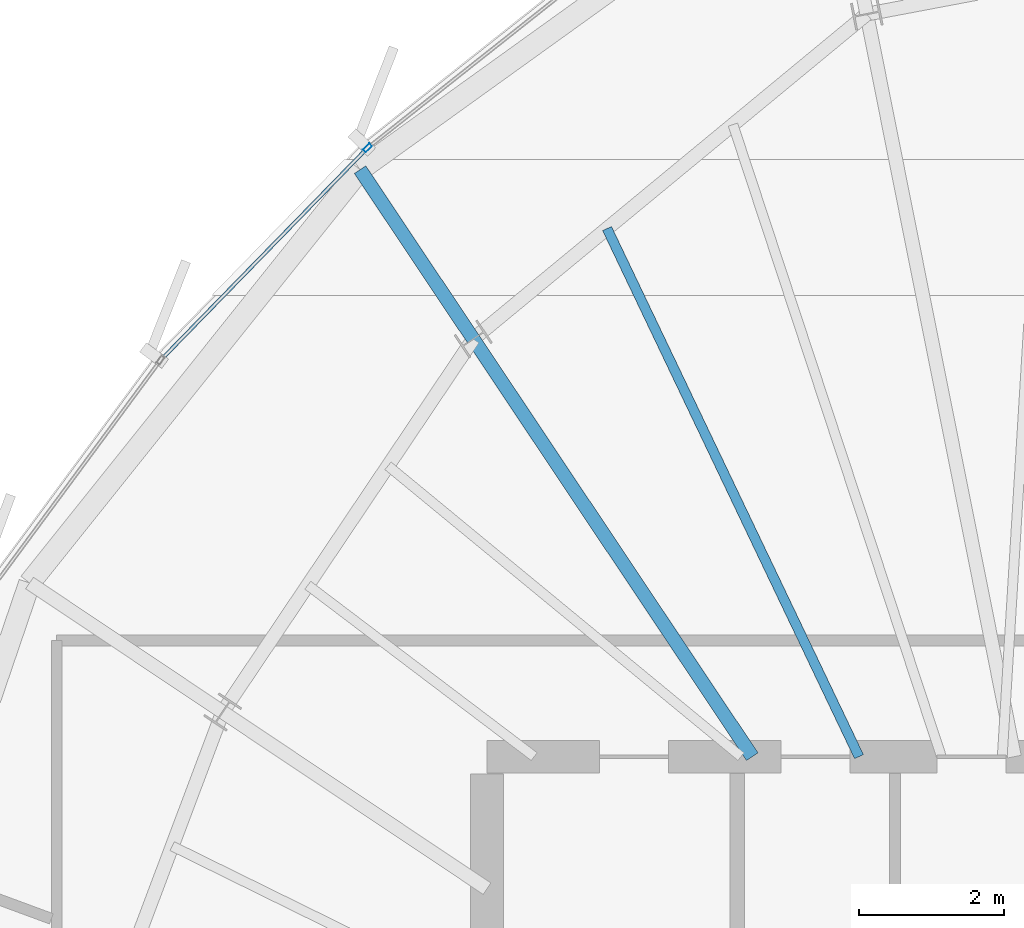
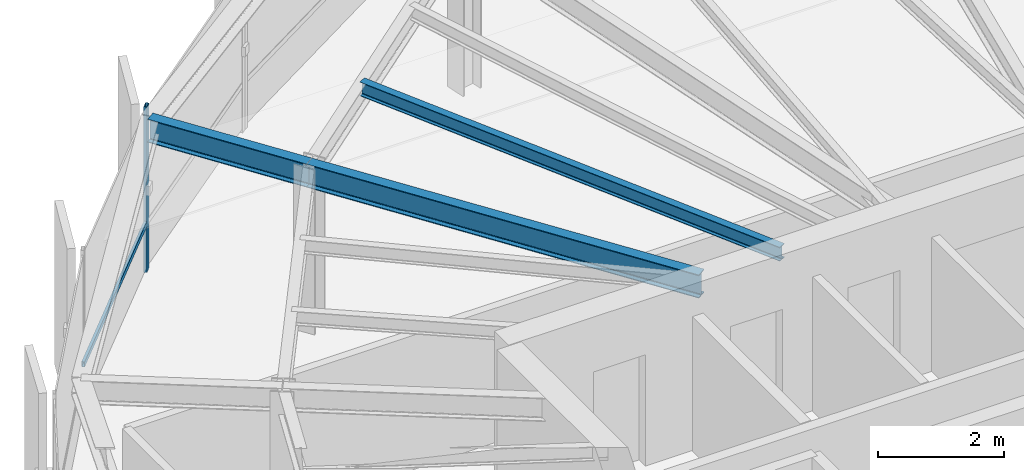
# One storey, part 18 of 33: 3 beams, 2 members, 1 element without a shape of its own.
"""IFC4 building model written with IfcOpenShell, lengths in metres."""

from ifc_helpers import new_model, si_unit, direction, frame, origin, origin_2d, place, context, subcontext, project, spatial, hollow_rectangle, i_section, extrude, source, transform, mapped, material, layer, layer_set, material_profile, profile_set, type_object, element, aggregate, save


model = new_model("IFC4")

# Units and contexts
model_context = context("Model", 3, precision=1e-05, world=origin(), true_north=direction((0.0, 1.0)))
body_context = subcontext(model_context, "Body", "Model", "MODEL_VIEW")
ifc_project = project(units=[si_unit("LENGTHUNIT", "METRE"), si_unit("AREAUNIT", "SQUARE_METRE"), si_unit("VOLUMEUNIT", "CUBIC_METRE"), si_unit("PLANEANGLEUNIT", "RADIAN"), si_unit("MASSUNIT", "GRAM", prefix="KILO"), si_unit("THERMODYNAMICTEMPERATUREUNIT", "KELVIN")], contexts=[model_context])

# Site, building, storey
site_placement = place(None, origin())
site = spatial("IfcSite", under=ifc_project, at=site_placement, CompositionType="ELEMENT")
building_placement = place(site_placement, origin())
building = spatial("IfcBuilding", under=site, at=building_placement, Name="Kethvar Cultural Tower", CompositionType="ELEMENT")
storey_placement = place(building_placement, frame((0.0, 0.0, 266.35009765625)))
storey = spatial("IfcBuildingStorey", under=building, at=storey_placement, Name="L70", CompositionType="ELEMENT", Elevation=266.35009765625)

# Beams
ifc_material_1 = material(Name="Steel S355J2", Category="steel")
ifc_material_profile_1 = material_profile(ifc_material_1, i_section(OverallWidth=0.18994140625, OverallDepth=0.449951171875, WebThickness=0.009521484375, FlangeThickness=0.0146484375, FilletRadius=0.02099609375, at=origin_2d()), Name="Steel S355J2 — IPE450")
ifc_profile_set_1 = profile_set([ifc_material_profile_1], Name="Steel S355J2 — IPE450")
beam_type_1 = type_object("IfcBeamType", Name="BM-IPE450", PredefinedType="BEAM", material=ifc_profile_set_1)
shared_shape_1 = source(origin(), body_context, "Body", "SweptSolid", [
    extrude(i_section(OverallWidth=0.18994140625, OverallDepth=0.449951171875, WebThickness=0.009521484375, FlangeThickness=0.0146484375, FilletRadius=0.02099609375, at=origin_2d()), origin(), (0.0, 0.0, 1.0), 6.921630859375),
])
beam_1_placement = place(storey_placement, frame((41.655029296875, 35.5, 2.98291015625), z_axis=(-0.555570841874, 0.831469205479, 0.0), x_axis=(-0.831469205479, -0.555570841874, 0.0)))
element("IfcBeam", 1, at=beam_1_placement, inside=storey, type_object=beam_type_1, Name="L70 Primary Radial Beam RB-06", PredefinedType="BEAM", context=body_context, shape_type="MappedRepresentation", body=[
    mapped(shared_shape_1, transform((0.0, 0.0, 0.0), scale=1.0)),
])
ifc_material_profile_2 = material_profile(ifc_material_1, i_section(OverallWidth=0.135009765625, OverallDepth=0.27001953125, WebThickness=0.006591796875, FlangeThickness=0.01025390625, FilletRadius=0.014892578125, at=origin_2d()), Name="Steel S355J2 — IPE270")
ifc_profile_set_2 = profile_set([ifc_material_profile_2], Name="Steel S355J2 — IPE270")
beam_type_2 = type_object("IfcBeamType", Name="BM-J270", PredefinedType="JOIST", material=ifc_profile_set_2)
shared_shape_2 = source(origin(), body_context, "Body", "SweptSolid", [
    extrude(i_section(OverallWidth=0.135009765625, OverallDepth=0.27001953125, WebThickness=0.006591796875, FlangeThickness=0.01025390625, FilletRadius=0.014892578125, at=origin_2d()), origin(), (0.0, 0.0, 1.0), 8.063232421875),
])
beam_2_placement = place(storey_placement, frame((43.1259765625, 35.5, 3.072998046875), z_axis=(-0.430642151588, 0.902522762746, 0.0), x_axis=(-0.902522762746, -0.430642151588, 0.0)))
element("IfcBeam", 2, at=beam_2_placement, inside=storey, type_object=beam_type_2, Name="L70 Composite Floor Joist J-05B", PredefinedType="JOIST", context=body_context, shape_type="MappedRepresentation", body=[
    mapped(shared_shape_2, transform((0.0, 0.0, 0.0), scale=1.0)),
])
shared_shape_3 = source(origin(), body_context, "Body", "SweptSolid", [
    extrude(i_section(OverallWidth=0.18994140625, OverallDepth=0.449951171875, WebThickness=0.009521484375, FlangeThickness=0.0146484375, FilletRadius=0.02099609375, at=origin_2d()), origin(), (0.0, 0.0, 1.0), 2.806640625),
])
beam_3_placement = place(storey_placement, frame((37.8095703125, 41.255126953125, 2.98291015625), z_axis=(-0.555563040829, 0.831474417925, 0.0), x_axis=(-0.831474417925, -0.555563040829, 0.0)))
element("IfcBeam", 3, at=beam_3_placement, inside=storey, type_object=beam_type_1, Name="L70 Perimeter Cantilever Beam RC-06", PredefinedType="BEAM", context=body_context, shape_type="MappedRepresentation", body=[
    mapped(shared_shape_3, transform((0.0, 0.0, 0.0), scale=1.0)),
])

# Curtain wall, members
ifc_material_2 = material(Name="Aluminium 6063-T6", Category="aluminium")
ifc_layer = layer(ifc_material_2, 0.179931640625, Name="Aluminium 6063-T6", Category="aluminium")
ifc_layer_set = layer_set([ifc_layer], Name="Aluminium 6063-T6 (180 mm)")
curtain_wall_type = type_object("IfcCurtainWallType", Name="CW-SYS-05-Z56", PredefinedType="NOTDEFINED", material=ifc_layer_set)
curtain_wall_placement = place(storey_placement, origin())
curtain_wall = element("IfcCurtainWall", 4, at=curtain_wall_placement, inside=storey, type_object=curtain_wall_type, Name="L70 Curtain Wall Run 02", PredefinedType="NOTDEFINED")
ifc_material_profile_3 = material_profile(ifc_material_2, hollow_rectangle(XDim=0.054931640625, YDim=0.1201171875, WallThickness=0.00390625, at=origin_2d()), Name="Aluminium 6063-T6 — RHS120x55x4")
ifc_profile_set_3 = profile_set([ifc_material_profile_3], Name="Aluminium 6063-T6 — RHS120x55x4")
member_type_1 = type_object("IfcMemberType", Name="CW-SYS-05-Z56-MUL", PredefinedType="MULLION", material=ifc_profile_set_3)
shared_shape_4 = source(origin(), body_context, "Body", "SweptSolid", [
    extrude(hollow_rectangle(XDim=0.054931640625, YDim=0.1201171875, WallThickness=0.00390625, at=origin_2d()), origin(), (0.0, 0.0, 1.0), 3.2099609375),
])
member_1_placement = place(storey_placement, frame((36.35205078125, 43.888671875, 0.0), z_axis=(0.0, 0.0, 1.0), x_axis=(0.716277585506, -0.697815463071, 0.0)))
member_1 = element("IfcMember", 5, at=member_1_placement, type_object=member_type_1, Name="CW-L70-R02 Mullion 2", PredefinedType="MULLION", context=body_context, shape_type="MappedRepresentation", body=[
    mapped(shared_shape_4, transform((0.0, 0.0, 0.0), scale=1.0)),
])
ifc_material_profile_4 = material_profile(ifc_material_2, hollow_rectangle(XDim=0.050048828125, YDim=0.10009765625, WallThickness=0.00390625, at=origin_2d()), Name="Aluminium 6063-T6 — RHS100x50x4")
ifc_profile_set_4 = profile_set([ifc_material_profile_4], Name="Aluminium 6063-T6 — RHS100x50x4")
member_type_2 = type_object("IfcMemberType", Name="CW-SYS-05-Z56-TRN", PredefinedType="USERDEFINED", material=ifc_profile_set_4)
shared_shape_5 = source(origin(), body_context, "Body", "SweptSolid", [
    extrude(hollow_rectangle(XDim=0.050048828125, YDim=0.10009765625, WallThickness=0.00390625, at=origin_2d()), origin(), (0.0, 0.0, 1.0), 4.020751953125),
])
member_2_placement = place(storey_placement, frame((36.324462890625, 43.8603515625, 0.949951171875), z_axis=(-0.697816803124, -0.716276279991, 0.0), x_axis=(0.716276279991, -0.697816803124, 0.0)))
member_2 = element("IfcMember", 6, at=member_2_placement, type_object=member_type_2, Name="CW-L70-R02 Transom 2", ObjectType="TRANSOM", PredefinedType="USERDEFINED", context=body_context, shape_type="MappedRepresentation", body=[
    mapped(shared_shape_5, transform((0.0, 0.0, 0.0), scale=1.0)),
])
aggregate(curtain_wall, [member_1, member_2])

save(model, "model.ifc")
